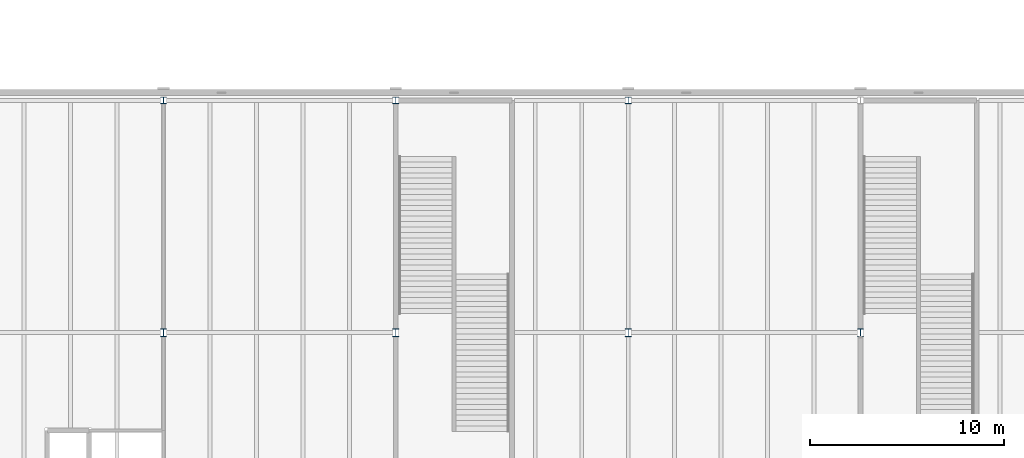
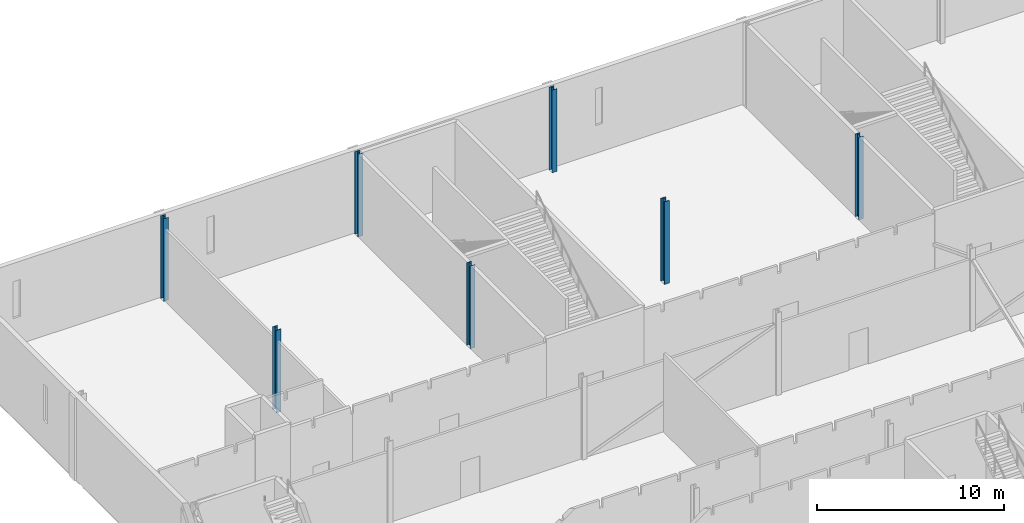
# One storey, part 12 of 170: 7 columns.
"""IFC4 building model written with IfcOpenShell, lengths in metres."""

from ifc_helpers import new_model, si_unit, direction, frame, origin, origin_2d, place, context, subcontext, project, spatial, i_section, extrude, material, material_profile, profile_set, type_object, element, save


model = new_model("IFC4")

# Units and contexts
model_context = context("Model", 3, precision=1e-05, world=origin(), true_north=direction((0.0, 1.0)))
body_context = subcontext(model_context, "Body", "Model", "MODEL_VIEW")
ifc_project = project(units=[si_unit("LENGTHUNIT", "METRE"), si_unit("AREAUNIT", "SQUARE_METRE"), si_unit("VOLUMEUNIT", "CUBIC_METRE"), si_unit("PLANEANGLEUNIT", "RADIAN"), si_unit("MASSUNIT", "GRAM", prefix="KILO")], contexts=[model_context])

# Site, building, storey
site_placement = place(None, origin())
site = spatial("IfcSite", under=ifc_project, at=site_placement, CompositionType="ELEMENT")
building_placement = place(site_placement, origin())
building = spatial("IfcBuilding", under=site, at=building_placement, Name="Ravi Spectrum Wholesale Market", CompositionType="ELEMENT")
storey_placement = place(building_placement, frame((0.0, 0.0, 5.39990234375)))
storey = spatial("IfcBuildingStorey", under=building, at=storey_placement, Name="L01", CompositionType="ELEMENT", Elevation=5.39990234375)

# Columns
ifc_material_1 = material(Name="Steel S355", Category="steel")
ifc_material_profile_1 = material_profile(ifc_material_1, i_section(OverallWidth=0.300048828125, OverallDepth=0.340087890625, WebThickness=0.011962890625, FlangeThickness=0.021484375, at=origin_2d()))
ifc_profile_set_1 = profile_set([ifc_material_profile_1], Name="Steel S355")
column_type_1 = type_object("IfcColumnType", Name="HEB 340 column", PredefinedType="COLUMN", material=ifc_profile_set_1)
for number, where, z_axis, x_axis, name in (
    (1, (210.0, 66.0, 0.0), (0.0, 0.0, 1.0), (1.0, 0.0, 0.0), "CS-COL-L01-010"),
    (2, (222.0, 66.0, 0.0), (0.0, 0.0, 1.0), (1.0, 0.0, 0.0), "CS-COL-L01-015"),
    (3, (234.0, 66.0, 0.0), (0.0, 0.0, 1.0), (1.0, 0.0, 0.0), "CS-COL-L01-020"),
):
    element("IfcColumn", number, at=place(storey_placement, frame(where, z_axis=z_axis, x_axis=x_axis)), inside=storey, type_object=column_type_1, Name=name, PredefinedType="COLUMN", context=body_context, shape_type="SweptSolid", body=[
        extrude(i_section(OverallWidth=0.300048828125, OverallDepth=0.340087890625, WebThickness=0.011962890625, FlangeThickness=0.021484375, at=origin_2d()), origin(), (0.0, 0.0, 1.0), 5.400146484375),
    ])
ifc_material_2 = material(Name="Steel S355", Category="steel")
ifc_material_profile_2 = material_profile(ifc_material_2, i_section(OverallWidth=0.300048828125, OverallDepth=0.39990234375, WebThickness=0.013427734375, FlangeThickness=0.02392578125, at=origin_2d()))
ifc_profile_set_2 = profile_set([ifc_material_profile_2], Name="Steel S355")
column_type_2 = type_object("IfcColumnType", Name="HEB 400 column", PredefinedType="COLUMN", material=ifc_profile_set_2)
for number, where, z_axis, x_axis, name in (
    (4, (210.0, 54.0, 0.0), (0.0, 0.0, 1.0), (1.0, 0.0, 0.0), "CS-COL-L01-009"),
    (5, (222.0, 54.0, 0.0), (0.0, 0.0, 1.0), (1.0, 0.0, 0.0), "CS-COL-L01-014"),
    (6, (234.0, 54.0, 0.0), (0.0, 0.0, 1.0), (1.0, 0.0, 0.0), "CS-COL-L01-019"),
    (7, (246.0, 54.0, 0.0), (0.0, 0.0, 1.0), (1.0, 0.0, 0.0), "CS-COL-L01-024"),
):
    element("IfcColumn", number, at=place(storey_placement, frame(where, z_axis=z_axis, x_axis=x_axis)), inside=storey, type_object=column_type_2, Name=name, PredefinedType="COLUMN", context=body_context, shape_type="SweptSolid", body=[
        extrude(i_section(OverallWidth=0.300048828125, OverallDepth=0.39990234375, WebThickness=0.013427734375, FlangeThickness=0.02392578125, at=origin_2d()), origin(), (0.0, 0.0, 1.0), 5.400146484375),
    ])

save(model, "model.ifc")
